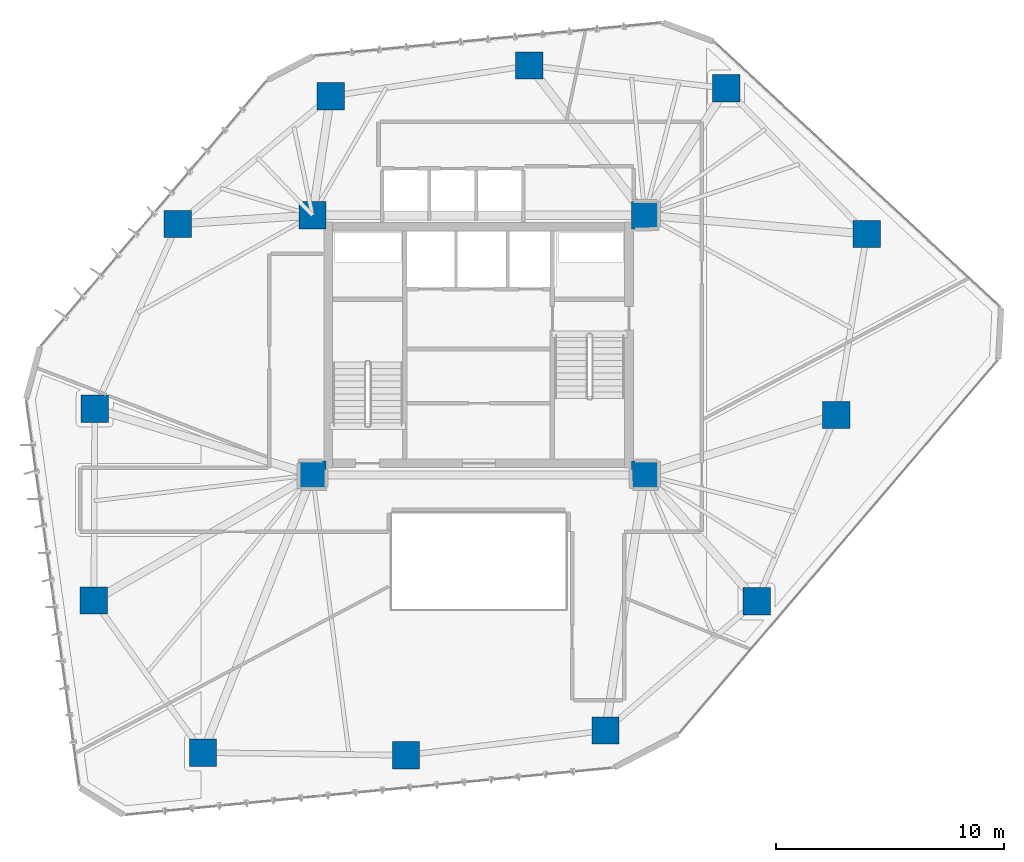
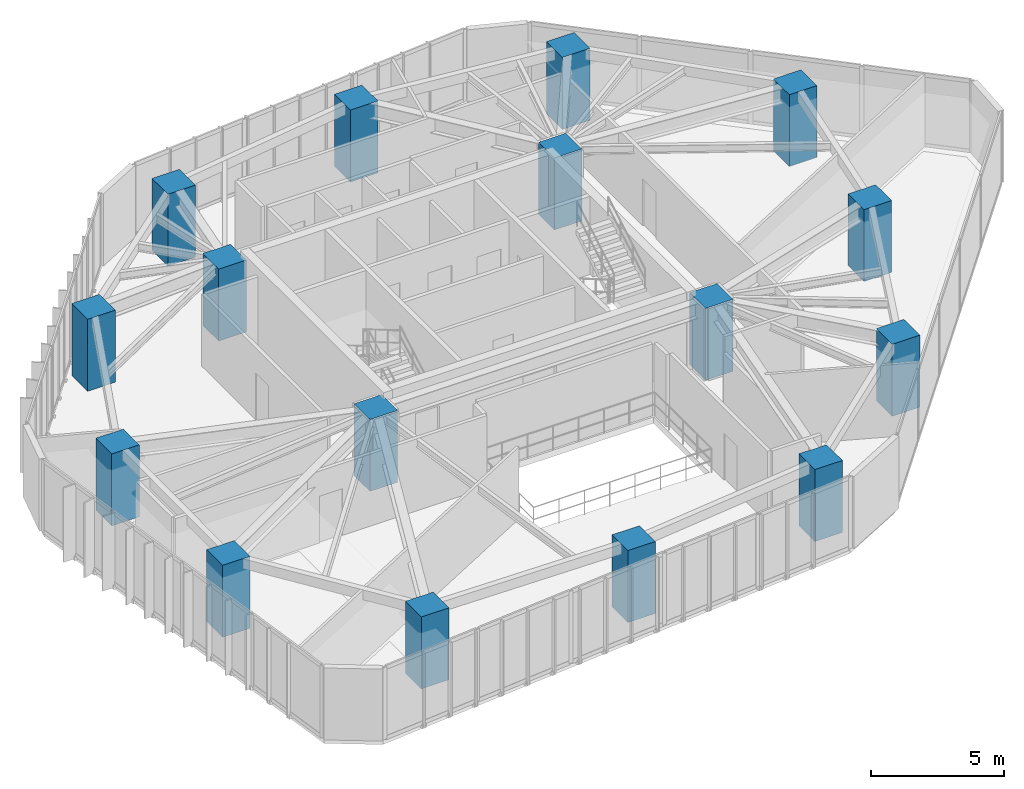
# One storey, part 1 of 22: 16 columns.
"""IFC4 building model written with IfcOpenShell, lengths in metres."""

from ifc_helpers import new_model, si_unit, direction, frame, origin, origin_2d, place, context, subcontext, project, spatial, rectangle, extrude, material, material_profile, profile_set, type_object, element, save


model = new_model("IFC4")

# Units and contexts
model_context = context("Model", 3, precision=1e-05, world=origin(), true_north=direction((0.0, 1.0)))
body_context = subcontext(model_context, "Body", "Model", "MODEL_VIEW")
ifc_project = project(units=[si_unit("LENGTHUNIT", "METRE"), si_unit("AREAUNIT", "SQUARE_METRE"), si_unit("VOLUMEUNIT", "CUBIC_METRE"), si_unit("PLANEANGLEUNIT", "RADIAN"), si_unit("MASSUNIT", "GRAM", prefix="KILO")], contexts=[model_context])

# Site, building, storey
site_placement = place(None, origin())
site = spatial("IfcSite", under=ifc_project, at=site_placement, CompositionType="ELEMENT")
building_placement = place(site_placement, origin())
building = spatial("IfcBuilding", under=site, at=building_placement, Name="Talar Marvaseh", CompositionType="ELEMENT")
storey_placement = place(building_placement, frame((0.0, 0.0, 107.39990234375)))
storey = spatial("IfcBuildingStorey", under=building, at=storey_placement, Name="L27", CompositionType="ELEMENT", Elevation=107.39990234375)

# Columns
ifc_material = material(Name="Concrete C60/75", Category="concrete")
ifc_material_profile = material_profile(ifc_material, rectangle(XDim=1.199951171875, YDim=1.199951171875, at=origin_2d()), Name="RC1200x1200")
ifc_profile_set = profile_set([ifc_material_profile], Name="Concrete C60/75")
column_type = type_object("IfcColumnType", Name="Zone 2 Tube Column RC1200x1200", PredefinedType="COLUMN", material=ifc_profile_set)
for number, where, z_axis, x_axis, name in (
    (1, (36.865966796875, 42.470947265625, 0.0), (0.0, 0.0, 1.0), (1.0, 0.0, 0.0), "L27 Zone 2 Tube Column RC1200x1200"),
    (2, (43.0439453125, 36.075927734375, 0.0), (0.0, 0.0, 1.0), (1.0, 0.0, 0.0), "L27 Zone 2 Tube Column RC1200x1200"),
    (3, (41.708984375, 28.1279296875, 0.0), (0.0, 0.0, 1.0), (1.0, 0.0, 0.0), "L27 Zone 2 Tube Column RC1200x1200"),
    (4, (38.2060546875, 19.94091796875, 0.0), (0.0, 0.0, 1.0), (1.0, 0.0, 0.0), "L27 Zone 2 Tube Column RC1200x1200"),
    (5, (31.570068359375, 14.26806640625, 0.0), (0.0, 0.0, 1.0), (1.0, 0.0, 0.0), "L27 Zone 2 Tube Column RC1200x1200"),
    (6, (22.804931640625, 13.18310546875, 0.0), (0.0, 0.0, 1.0), (1.0, 0.0, 0.0), "L27 Zone 2 Tube Column RC1200x1200"),
    (7, (13.89111328125, 13.299072265625, 0.0), (0.0, 0.0, 1.0), (1.0, 0.0, 0.0), "L27 Zone 2 Tube Column RC1200x1200"),
    (8, (9.10107421875, 19.97705078125, 0.0), (0.0, 0.0, 1.0), (1.0, 0.0, 0.0), "L27 Zone 2 Tube Column RC1200x1200"),
    (9, (9.137939453125, 28.402099609375, 0.0), (0.0, 0.0, 1.0), (1.0, 0.0, 0.0), "L27 Zone 2 Tube Column RC1200x1200"),
    (10, (12.780029296875, 36.51708984375, 0.0), (0.0, 0.0, 1.0), (1.0, 0.0, 0.0), "L27 Zone 2 Tube Column RC1200x1200"),
    (11, (19.5009765625, 42.123046875, 0.0), (0.0, 0.0, 1.0), (1.0, 0.0, 0.0), "L27 Zone 2 Tube Column RC1200x1200"),
    (12, (28.221923828125, 43.471923828125, 0.0), (0.0, 0.0, 1.0), (1.0, 0.0, 0.0), "L27 Zone 2 Tube Column RC1200x1200"),
    (13, (18.699951171875, 25.5, 0.0), (0.0, 0.0, 1.0), (1.0, 0.0, 0.0), "L27 Zone 2 Tube Column RC1200x1200"),
    (14, (33.300048828125, 25.5, 0.0), (0.0, 0.0, 1.0), (1.0, 0.0, 0.0), "L27 Zone 2 Tube Column RC1200x1200"),
    (15, (33.300048828125, 36.89990234375, 0.0), (0.0, 0.0, 1.0), (1.0, 0.0, 0.0), "L27 Zone 2 Tube Column RC1200x1200"),
    (16, (18.699951171875, 36.89990234375, 0.0), (0.0, 0.0, 1.0), (1.0, 0.0, 0.0), "L27 Zone 2 Tube Column RC1200x1200"),
):
    element("IfcColumn", number, at=place(storey_placement, frame(where, z_axis=z_axis, x_axis=x_axis)), inside=storey, type_object=column_type, Name=name, PredefinedType="COLUMN", context=body_context, shape_type="SweptSolid", body=[
        extrude(rectangle(XDim=1.199951171875, YDim=1.199951171875, at=origin_2d()), origin(), (0.0, 0.0, 1.0), 3.31005859375),
    ])

save(model, "model.ifc")
